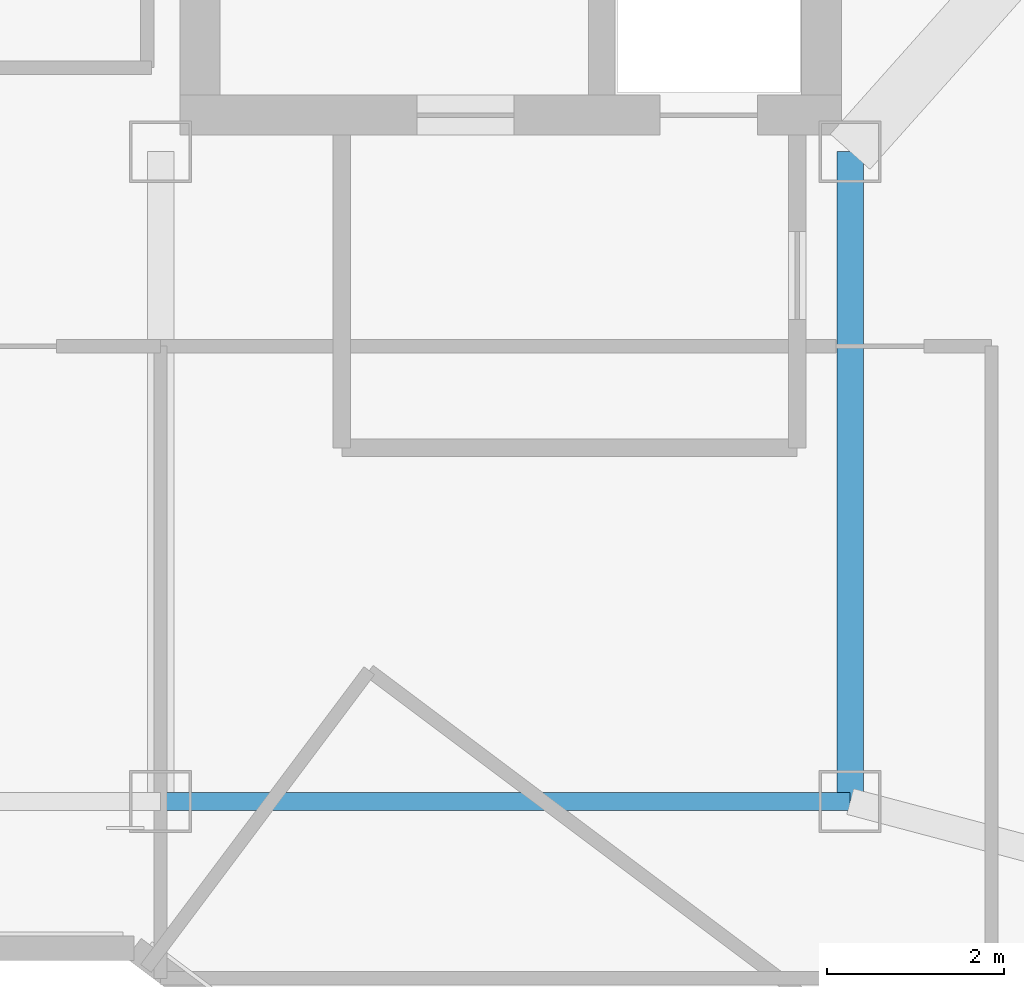
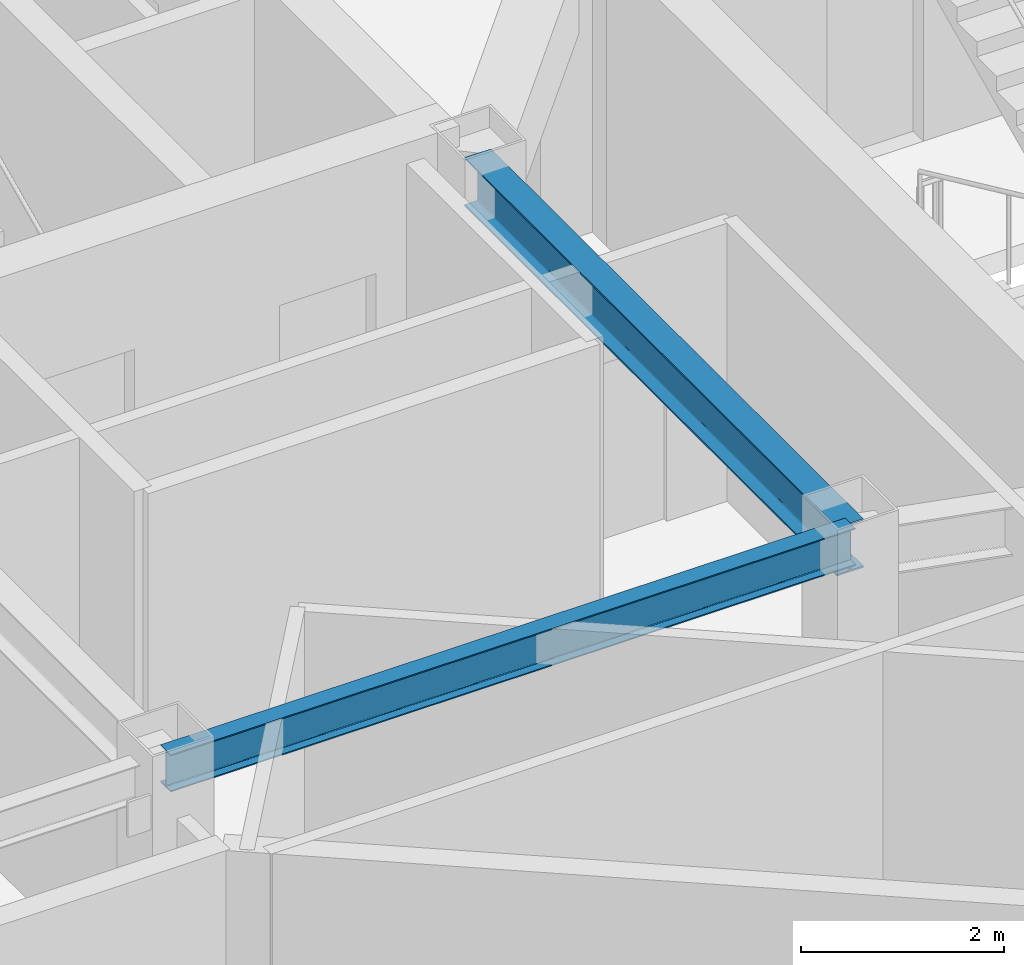
# One storey, part 5 of 25: 2 beams.
"""IFC4 building model written with IfcOpenShell, lengths in metres."""

from ifc_helpers import new_model, si_unit, direction, frame, origin, origin_2d, place, context, subcontext, project, spatial, i_section, extrude, material, material_profile, profile_set, type_object, element, save


model = new_model("IFC4")

# Units and contexts
model_context = context("Model", 3, precision=1e-05, world=origin(), true_north=direction((0.0, 1.0)))
body_context = subcontext(model_context, "Body", "Model", "MODEL_VIEW")
ifc_project = project(units=[si_unit("LENGTHUNIT", "METRE"), si_unit("AREAUNIT", "SQUARE_METRE"), si_unit("VOLUMEUNIT", "CUBIC_METRE"), si_unit("PLANEANGLEUNIT", "RADIAN"), si_unit("MASSUNIT", "GRAM", prefix="KILO")], contexts=[model_context])

# Site, building, storey
site_placement = place(None, origin())
site = spatial("IfcSite", under=ifc_project, at=site_placement, CompositionType="ELEMENT")
building_placement = place(site_placement, origin())
building = spatial("IfcBuilding", under=site, at=building_placement, Name="Hatsunagi Terrace Concourse", CompositionType="ELEMENT")
storey_placement = place(building_placement, frame((0.0, 0.0, 220.35009765625)))
storey = spatial("IfcBuildingStorey", under=building, at=storey_placement, Name="L58", CompositionType="ELEMENT", Elevation=220.35009765625)

# Beams
ifc_material_1 = material(Name="Steel SN490B", Category="steel")
ifc_material_profile_1 = material_profile(ifc_material_1, i_section(OverallWidth=0.300048828125, OverallDepth=0.587890625, WebThickness=0.011962890625, FlangeThickness=0.02001953125, FilletRadius=0.01806640625, at=origin_2d()), Name="H-588x300x12x20")
ifc_profile_set_1 = profile_set([ifc_material_profile_1], Name="Steel SN490B")
beam_type_1 = type_object("IfcBeamType", Name="OfficeHighGirder_H_588x300", PredefinedType="BEAM", material=ifc_profile_set_1)
beam_1_placement = place(storey_placement, frame((33.35009765625, 25.199951171875, 3.055908203125), z_axis=(0.0, 1.0, 0.0), x_axis=(-1.0, 0.0, 0.0)))
element("IfcBeam", 1, at=beam_1_placement, inside=storey, type_object=beam_type_1, Name="Beam G-06 BM-L58-K2CA", PredefinedType="BEAM", context=body_context, shape_type="SweptSolid", body=[
    extrude(i_section(OverallWidth=0.300048828125, OverallDepth=0.587890625, WebThickness=0.011962890625, FlangeThickness=0.02001953125, FilletRadius=0.01806640625, at=origin_2d()), origin(), (0.0, 0.0, 1.0), 7.35009765625),
])
ifc_material_2 = material(Name="Steel SN490B", Category="steel")
ifc_material_profile_2 = material_profile(ifc_material_2, i_section(OverallWidth=0.199951171875, OverallDepth=0.449951171875, WebThickness=0.009033203125, FlangeThickness=0.013916015625, FilletRadius=0.01611328125, at=origin_2d()), Name="H-450x200x9x14")
ifc_profile_set_2 = profile_set([ifc_material_profile_2], Name="Steel SN490B")
beam_type_2 = type_object("IfcBeamType", Name="PerimeterSpandrel_H_450x200", PredefinedType="SPANDREL", material=ifc_profile_set_2)
beam_2_placement = place(storey_placement, frame((25.550048828125, 25.199951171875, 3.125), z_axis=(1.0, 0.0, 0.0), x_axis=(0.0, 1.0, 0.0)))
element("IfcBeam", 2, at=beam_2_placement, inside=storey, type_object=beam_type_2, Name="Beam SP-02 BM-L58-WS-25", PredefinedType="SPANDREL", context=body_context, shape_type="SweptSolid", body=[
    extrude(i_section(OverallWidth=0.199951171875, OverallDepth=0.449951171875, WebThickness=0.009033203125, FlangeThickness=0.013916015625, FilletRadius=0.01611328125, at=origin_2d()), origin(), (0.0, 0.0, 1.0), 7.800048828125),
])

save(model, "model.ifc")
